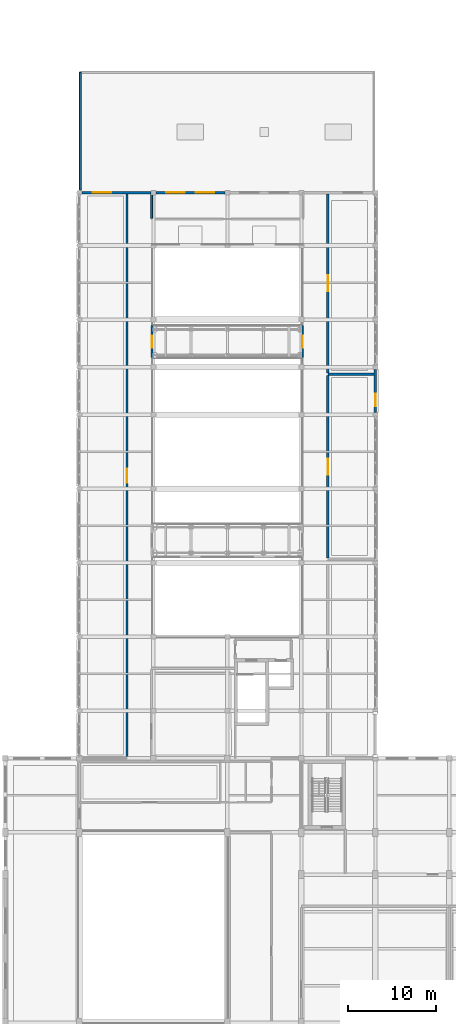
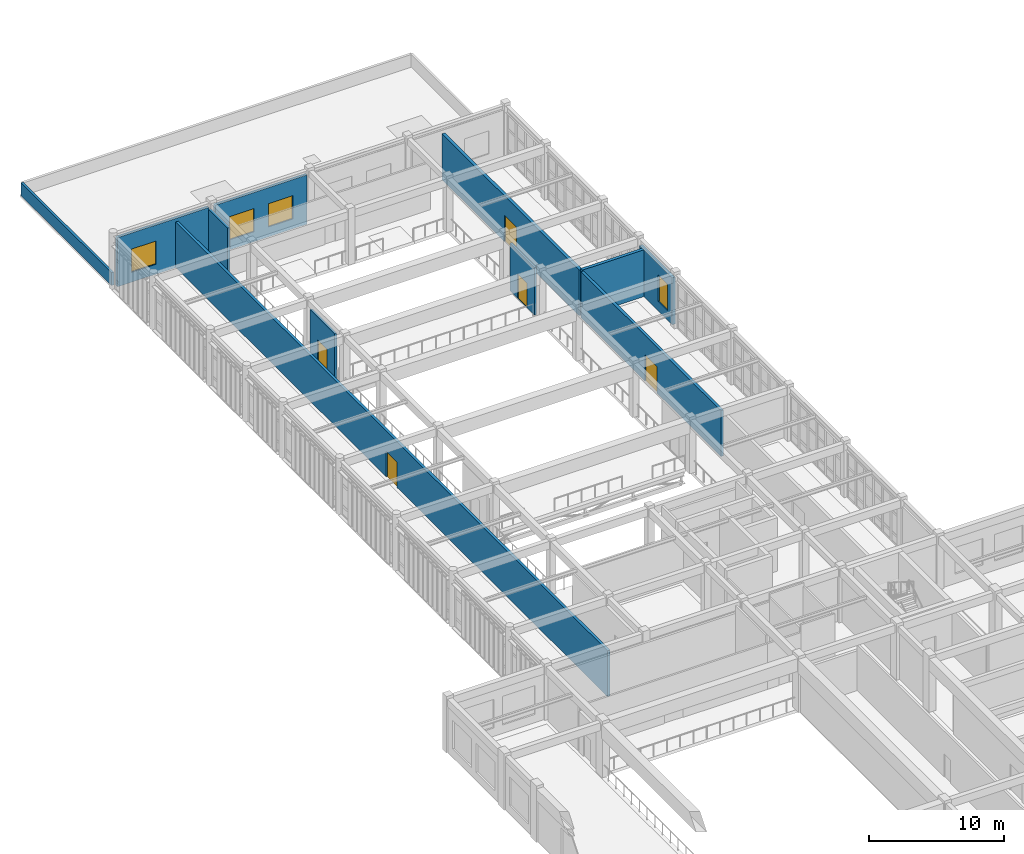
# One storey, part 62 of 77: 11 walls, 5 doors, 4 windows, 9 openings.
"""IFC4 building model written with IfcOpenShell, lengths in metres."""

from ifc_helpers import new_model, si_unit, direction, frame, frame_2d, origin, place, context, subcontext, project, spatial, rectangle, extrude, material, layer, layer_set, type_object, element, fill, save


model = new_model("IFC4")

# Units and contexts
model_context = context("Model", 3, precision=1e-05, world=origin(), true_north=direction((0.0, 1.0)))
body_context = subcontext(model_context, "Body", "Model", "MODEL_VIEW")
ifc_project = project(units=[si_unit("LENGTHUNIT", "METRE"), si_unit("AREAUNIT", "SQUARE_METRE"), si_unit("VOLUMEUNIT", "CUBIC_METRE"), si_unit("PLANEANGLEUNIT", "RADIAN"), si_unit("MASSUNIT", "GRAM", prefix="KILO")], contexts=[model_context])

# Site, building, storey
site_placement = place(None, origin())
site = spatial("IfcSite", under=ifc_project, at=site_placement, CompositionType="ELEMENT")
building_placement = place(site_placement, origin())
building = spatial("IfcBuilding", under=site, at=building_placement, Name="Krzemoval Escarpment Law Courts", CompositionType="ELEMENT")
storey_placement = place(building_placement, frame((0.0, 0.0, 15.300048828125)))
storey = spatial("IfcBuildingStorey", under=building, at=storey_placement, Name="L03", CompositionType="ELEMENT", Elevation=15.300048828125)

# Wall, opening, window
ifc_material_1 = material(Name="Precast concrete C40/50", Category="concrete")
ifc_layer_1 = layer(ifc_material_1, 0.260009765625)
ifc_layer_set_1 = layer_set([ifc_layer_1], Name="Precast concrete C40/50")
wall_type_1 = type_object("IfcWallType", Name="WL-EXT-260", PredefinedType="SOLIDWALL", material=ifc_layer_set_1)
wall_1_placement = place(storey_placement, frame((8.699951171875, 99.60009765625, 0.0), z_axis=(0.0, 0.0, 1.0), x_axis=(1.0, 0.0, 0.0)))
wall_1 = element("IfcWall", 1, at=wall_1_placement, inside=storey, type_object=wall_type_1, Name="Exterior Wall EW-L03-0329", PredefinedType="SOLIDWALL", context=body_context, shape_type="SweptSolid", body=[
    extrude(rectangle(XDim=7.824951171875, YDim=0.260009765625, at=frame_2d((3.91259765625, 0.0))), origin(), (0.0, 0.0, 1.0), 4.449951171875),
])
opening_1_placement = place(wall_1_placement, frame((1.2080078125, 0.0, 0.89990234375)))
opening_1 = element("IfcOpeningElement", 2, at=opening_1_placement, cuts=wall_1, Name="Opening WN-L03-0358", PredefinedType="OPENING", context=body_context, shape_type="SweptSolid", body=[
    extrude(rectangle(XDim=2.10009765625, YDim=2.10009765625, at=frame_2d((1.050048828125, 1.050048828125))), frame((0.0, 0.145, 0.0), z_axis=(0.0, -1.0, 0.0), x_axis=(1.0, 0.0, 0.0)), (0.0, 0.0, 1.0), 0.29001),
])
ifc_material_2 = material(Name="Thermally Broken Aluminium Frame with Triple Low-E Acoustic Glass", Category="aluminium")
window_type_1 = type_object("IfcWindowType", Name="WN-2100x2100", PartitioningType="SINGLE_PANEL", PredefinedType="WINDOW", material=ifc_material_2)
window_1_placement = place(opening_1_placement, origin())
window_1 = element("IfcWindow", 3, at=window_1_placement, inside=storey, type_object=window_type_1, Name="Facade Window WN-L03-0358", OverallHeight=2.10009765625, OverallWidth=2.10009765625, PartitioningType="SINGLE_PANEL", PredefinedType="WINDOW", context=body_context, shape_type="SweptSolid", body=[
    extrude(rectangle(XDim=2.10009765625, YDim=2.10009765625, at=frame_2d((1.050048828125, 1.050048828125))), frame((0.0, 0.030029296875, 0.0), z_axis=(0.0, -1.0, 0.0), x_axis=(1.0, 0.0, 0.0)), (0.0, 0.0, 1.0), 0.06005859375),
])
fill(opening_1, window_1)

# Wall, openings, windows
wall_2_placement = place(storey_placement, frame((17.074951171875, 99.60009765625, 0.0), z_axis=(0.0, 0.0, 1.0), x_axis=(1.0, 0.0, 0.0)))
wall_2 = element("IfcWall", 4, at=wall_2_placement, inside=storey, type_object=wall_type_1, Name="Exterior Wall EW-L03-0330", PredefinedType="SOLIDWALL", context=body_context, shape_type="SweptSolid", body=[
    extrude(rectangle(XDim=7.85009765625, YDim=0.260009765625, at=frame_2d((3.925048828125, 0.0))), origin(), (0.0, 0.0, 1.0), 4.449951171875),
])
opening_2_placement = place(wall_2_placement, frame((1.217041015625, 0.0, 0.89990234375)))
opening_2 = element("IfcOpeningElement", 5, at=opening_2_placement, cuts=wall_2, Name="Opening WN-L03-0359", PredefinedType="OPENING", context=body_context, shape_type="SweptSolid", body=[
    extrude(rectangle(XDim=2.10009765625, YDim=2.10009765625, at=frame_2d((1.050048828125, 1.050048828125))), frame((0.0, 0.145, 0.0), z_axis=(0.0, -1.0, 0.0), x_axis=(1.0, 0.0, 0.0)), (0.0, 0.0, 1.0), 0.29001),
])
opening_3_placement = place(wall_2_placement, frame((4.532958984375, 0.0, 0.89990234375)))
opening_3 = element("IfcOpeningElement", 6, at=opening_3_placement, cuts=wall_2, Name="Opening WN-L03-0360", PredefinedType="OPENING", context=body_context, shape_type="SweptSolid", body=[
    extrude(rectangle(XDim=2.10009765625, YDim=2.10009765625, at=frame_2d((1.050048828125, 1.050048828125))), frame((0.0, 0.145, 0.0), z_axis=(0.0, -1.0, 0.0), x_axis=(1.0, 0.0, 0.0)), (0.0, 0.0, 1.0), 0.29001),
])
window_2_placement = place(opening_2_placement, origin())
window_2 = element("IfcWindow", 7, at=window_2_placement, inside=storey, type_object=window_type_1, Name="Facade Window WN-L03-0359", OverallHeight=2.10009765625, OverallWidth=2.10009765625, PartitioningType="SINGLE_PANEL", PredefinedType="WINDOW", context=body_context, shape_type="SweptSolid", body=[
    extrude(rectangle(XDim=2.10009765625, YDim=2.10009765625, at=frame_2d((1.050048828125, 1.050048828125))), frame((0.0, 0.030029296875, 0.0), z_axis=(0.0, -1.0, 0.0), x_axis=(1.0, 0.0, 0.0)), (0.0, 0.0, 1.0), 0.06005859375),
])
fill(opening_2, window_2)
window_3_placement = place(opening_3_placement, origin())
window_3 = element("IfcWindow", 8, at=window_3_placement, inside=storey, type_object=window_type_1, Name="Facade Window WN-L03-0360", OverallHeight=2.10009765625, OverallWidth=2.10009765625, PartitioningType="SINGLE_PANEL", PredefinedType="WINDOW", context=body_context, shape_type="SweptSolid", body=[
    extrude(rectangle(XDim=2.10009765625, YDim=2.10009765625, at=frame_2d((1.050048828125, 1.050048828125))), frame((0.0, 0.030029296875, 0.0), z_axis=(0.0, -1.0, 0.0), x_axis=(1.0, 0.0, 0.0)), (0.0, 0.0, 1.0), 0.06005859375),
])
fill(opening_3, window_3)

# Wall, opening, window
wall_3_placement = place(storey_placement, frame((42.0, 79.52490234375, 0.0), z_axis=(0.0, 0.0, 1.0), x_axis=(0.0, -1.0, 0.0)))
wall_3 = element("IfcWall", 9, at=wall_3_placement, inside=storey, type_object=wall_type_1, Name="Exterior Wall EW-L03-0333", PredefinedType="SOLIDWALL", context=body_context, shape_type="SweptSolid", body=[
    extrude(rectangle(XDim=4.849853515625, YDim=0.260009765625, at=frame_2d((2.4248046875, 0.0))), origin(), (0.0, 0.0, 1.0), 4.239990234375),
])
opening_4_placement = place(wall_3_placement, frame((2.76708984375, 0.0, 0.85009765625)))
opening_4 = element("IfcOpeningElement", 10, at=opening_4_placement, cuts=wall_3, Name="Opening WN-L03-0364", PredefinedType="OPENING", context=body_context, shape_type="SweptSolid", body=[
    extrude(rectangle(XDim=1.39990234375, YDim=2.39990234375, at=frame_2d((0.699951171875, 1.199951171875))), frame((0.0, 0.145, 0.0), z_axis=(0.0, -1.0, 0.0), x_axis=(1.0, 0.0, 0.0)), (0.0, 0.0, 1.0), 0.29001),
])
ifc_material_3 = material(Name="Thermally Broken Aluminium Frame with Triple Low-E Acoustic Glass", Category="aluminium")
window_type_2 = type_object("IfcWindowType", Name="WN-1400x2400", PartitioningType="SINGLE_PANEL", PredefinedType="WINDOW", material=ifc_material_3)
window_4_placement = place(opening_4_placement, origin())
window_4 = element("IfcWindow", 11, at=window_4_placement, inside=storey, type_object=window_type_2, Name="Facade Window WN-L03-0364", OverallHeight=2.39990234375, OverallWidth=1.39990234375, PartitioningType="SINGLE_PANEL", PredefinedType="WINDOW", context=body_context, shape_type="SweptSolid", body=[
    extrude(rectangle(XDim=1.39990234375, YDim=2.39990234375, at=frame_2d((0.699951171875, 1.199951171875))), frame((0.0, 0.030029296875, 0.0), z_axis=(0.0, -1.0, 0.0), x_axis=(1.0, 0.0, 0.0)), (0.0, 0.0, 1.0), 0.06005859375),
])
fill(opening_4, window_4)

# Wall
ifc_material_4 = material(Name="Precast concrete C40/50", Category="concrete")
ifc_layer_2 = layer(ifc_material_4, 0.199951171875)
ifc_layer_set_2 = layer_set([ifc_layer_2], Name="Precast concrete C40/50")
wall_type_2 = type_object("IfcWallType", Name="WL-PAR-200", PredefinedType="PARAPET", material=ifc_layer_set_2)
wall_4_placement = place(storey_placement, frame((8.510009765625, 113.2900390625, 0.0), z_axis=(0.0, 0.0, 1.0), x_axis=(0.0, -1.0, 0.0)))
element("IfcWall", 12, at=wall_4_placement, inside=storey, type_object=wall_type_2, Name="Roof Parapet PR-L03-016", PredefinedType="PARAPET", context=body_context, shape_type="SweptSolid", body=[
    extrude(rectangle(XDim=13.43994140625, YDim=0.199951171875, at=frame_2d((6.719970703125, 0.0))), origin(), (0.0, 0.0, 1.0), 1.14990234375),
])

# Wall, opening, door
ifc_material_5 = material(Name="Fire-Rated Corridor Partition Wall", Category="gypsum")
ifc_layer_3 = layer(ifc_material_5, 0.199951171875)
ifc_layer_set_3 = layer_set([ifc_layer_3], Name="Fire-Rated Corridor Partition Wall")
wall_type_3 = type_object("IfcWallType", Name="WL-PRT-200", PredefinedType="PARTITIONING", material=ifc_layer_set_3)
wall_5_placement = place(storey_placement, frame((16.64990234375, 80.8701171875, 0.0), z_axis=(0.0, 0.0, 1.0), x_axis=(0.0, 1.0, 0.0)))
wall_5 = element("IfcWall", 13, at=wall_5_placement, inside=storey, type_object=wall_type_3, Name="Atrium Bridge Smoke Portal Wall PW-L03-0011", PredefinedType="PARTITIONING", context=body_context, shape_type="SweptSolid", body=[
    extrude(rectangle(XDim=3.6298828125, YDim=0.199951171875, at=frame_2d((1.81494140625, 0.0))), origin(), (0.0, 0.0, 1.0), 4.2900390625),
])
opening_5_placement = place(wall_5_placement, frame((1.114990234375, 0.0, 0.0)))
opening_5 = element("IfcOpeningElement", 14, at=opening_5_placement, cuts=wall_5, Name="Opening D-L03-0011", PredefinedType="OPENING", context=body_context, shape_type="SweptSolid", body=[
    extrude(rectangle(XDim=1.39990234375, YDim=2.199951171875, at=frame_2d((0.699951171875, 1.10009765625))), frame((0.0, 0.11498, 0.0), z_axis=(0.0, -1.0, 0.0), x_axis=(1.0, 0.0, 0.0)), (0.0, 0.0, 1.0), 0.22995),
])
ifc_material_6 = material(Name="Galvanised Steel S355", Category="steel")
door_type_1 = type_object("IfcDoorType", Name="DR-FFL-1400x2200", OperationType="SINGLE_SWING_LEFT", PredefinedType="DOOR", material=ifc_material_6)
door_1_placement = place(opening_5_placement, origin())
door_1 = element("IfcDoor", 15, at=door_1_placement, inside=storey, type_object=door_type_1, Name="Atrium Bridge Smoke Door D-L03-0011", OperationType="SINGLE_SWING_LEFT", OverallHeight=2.199951171875, OverallWidth=1.39990234375, PredefinedType="DOOR", context=body_context, shape_type="SweptSolid", body=[
    extrude(rectangle(XDim=1.39990234375, YDim=2.199951171875, at=frame_2d((0.699951171875, 1.10009765625))), frame((0.0, 0.02490234375, 0.0), z_axis=(0.0, -1.0, 0.0), x_axis=(1.0, 0.0, 0.0)), (0.0, 0.0, 1.0), 0.050048828125),
])
fill(opening_5, door_1)

wall_6_placement = place(storey_placement, frame((33.75, 80.8701171875, 0.0), z_axis=(0.0, 0.0, 1.0), x_axis=(0.0, 1.0, 0.0)))
wall_6 = element("IfcWall", 16, at=wall_6_placement, inside=storey, type_object=wall_type_3, Name="Atrium Bridge Smoke Portal Wall PW-L03-0012", PredefinedType="PARTITIONING", context=body_context, shape_type="SweptSolid", body=[
    extrude(rectangle(XDim=3.6298828125, YDim=0.199951171875, at=frame_2d((1.81494140625, 0.0))), origin(), (0.0, 0.0, 1.0), 4.2900390625),
])
opening_6_placement = place(wall_6_placement, frame((1.114990234375, 0.0, 0.0)))
opening_6 = element("IfcOpeningElement", 17, at=opening_6_placement, cuts=wall_6, Name="Opening D-L03-0012", PredefinedType="OPENING", context=body_context, shape_type="SweptSolid", body=[
    extrude(rectangle(XDim=1.39990234375, YDim=2.199951171875, at=frame_2d((0.699951171875, 1.10009765625))), frame((0.0, 0.11498, 0.0), z_axis=(0.0, -1.0, 0.0), x_axis=(1.0, 0.0, 0.0)), (0.0, 0.0, 1.0), 0.22995),
])
door_2_placement = place(opening_6_placement, origin())
door_2 = element("IfcDoor", 18, at=door_2_placement, inside=storey, type_object=door_type_1, Name="Atrium Bridge Smoke Door D-L03-0012", OperationType="SINGLE_SWING_LEFT", OverallHeight=2.199951171875, OverallWidth=1.39990234375, PredefinedType="DOOR", context=body_context, shape_type="SweptSolid", body=[
    extrude(rectangle(XDim=1.39990234375, YDim=2.199951171875, at=frame_2d((0.699951171875, 1.10009765625))), frame((0.0, 0.02490234375, 0.0), z_axis=(0.0, -1.0, 0.0), x_axis=(1.0, 0.0, 0.0)), (0.0, 0.0, 1.0), 0.050048828125),
])
fill(opening_6, door_2)

# Wall
ifc_material_7 = material(Name="Solid Calcium-Silicate Custody Blockwork Partition", Category="masonry")
ifc_layer_4 = layer(ifc_material_7, 0.219970703125)
ifc_layer_set_4 = layer_set([ifc_layer_4], Name="Solid Calcium-Silicate Custody Blockwork Partition")
wall_type_4 = type_object("IfcWallType", Name="WL-PRT-220", PredefinedType="PARTITIONING", material=ifc_layer_set_4)
wall_7_placement = place(storey_placement, frame((16.60009765625, 96.677001953125, 0.0), z_axis=(0.0, 0.0, 1.0), x_axis=(0.0, 1.0, 0.0)))
element("IfcWall", 19, at=wall_7_placement, inside=storey, type_object=wall_type_4, Name="Interior Partition PW-L03-0537", PredefinedType="PARTITIONING", context=body_context, shape_type="SweptSolid", body=[
    extrude(rectangle(XDim=2.803955078125, YDim=0.219970703125, at=frame_2d((1.40185546875, 0.0))), origin(), (0.0, 0.0, 1.0), 4.2900390625),
])

# Wall, opening, door
ifc_material_8 = material(Name="Acoustic Calcium-Silicate Block Wall", Category="masonry")
ifc_layer_5 = layer(ifc_material_8, 0.22998046875)
ifc_layer_set_5 = layer_set([ifc_layer_5], Name="Acoustic Calcium-Silicate Block Wall")
wall_type_5 = type_object("IfcWallType", Name="WL-PRT-230", PredefinedType="SOLIDWALL", material=ifc_layer_set_5)
wall_8_placement = place(storey_placement, frame((13.800048828125, 35.458984375, 0.0), z_axis=(0.0, 0.0, 1.0), x_axis=(0.0, 1.0, 0.0)))
wall_8 = element("IfcWall", 20, at=wall_8_placement, inside=storey, type_object=wall_type_5, Name="Interior Partition PW-L03-0535", PredefinedType="SOLIDWALL", context=body_context, shape_type="SweptSolid", body=[
    extrude(rectangle(XDim=64.009033203125, YDim=0.22998046875, at=frame_2d((32.00439453125, 0.0))), origin(), (0.0, 0.0, 1.0), 4.139892578125),
])
opening_7_placement = place(wall_8_placement, frame((31.2041015625, 0.0, 0.0)))
opening_7 = element("IfcOpeningElement", 21, at=opening_7_placement, cuts=wall_8, Name="Opening D-L03-0190", PredefinedType="OPENING", context=body_context, shape_type="SweptSolid", body=[
    extrude(rectangle(XDim=1.60009765625, YDim=2.300048828125, at=frame_2d((0.800048828125, 1.14990234375))), frame((0.0, 0.12999, 0.0), z_axis=(0.0, -1.0, 0.0), x_axis=(1.0, 0.0, 0.0)), (0.0, 0.0, 1.0), 0.25998),
])
ifc_material_9 = material(Name="Engineered Solid-Core Oak Acoustic Timber", Category="wood")
door_type_2 = type_object("IfcDoorType", Name="DR-CRT-1600x2300", OperationType="SINGLE_SWING_LEFT", PredefinedType="DOOR", material=ifc_material_9)
door_3_placement = place(opening_7_placement, origin())
door_3 = element("IfcDoor", 22, at=door_3_placement, inside=storey, type_object=door_type_2, Name="Room Door D-L03-0190", OperationType="SINGLE_SWING_LEFT", OverallHeight=2.300048828125, OverallWidth=1.60009765625, PredefinedType="DOOR", context=body_context, shape_type="SweptSolid", body=[
    extrude(rectangle(XDim=1.60009765625, YDim=2.300048828125, at=frame_2d((0.800048828125, 1.14990234375))), frame((0.0, 0.02490234375, 0.0), z_axis=(0.0, -1.0, 0.0), x_axis=(1.0, 0.0, 0.0)), (0.0, 0.0, 1.0), 0.050048828125),
])
fill(opening_7, door_3)

ifc_material_10 = material(Name="Acoustic Courtroom Partition Assembly", Category="gypsum")
ifc_layer_6 = layer(ifc_material_10, 0.239990234375)
ifc_layer_set_6 = layer_set([ifc_layer_6], Name="Acoustic Courtroom Partition Assembly")
wall_type_6 = type_object("IfcWallType", Name="WL-PRT-240", PredefinedType="PARTITIONING", material=ifc_layer_set_6)
wall_9_placement = place(storey_placement, frame((36.60009765625, 58.1220703125, 0.0), z_axis=(0.0, 0.0, 1.0), x_axis=(0.0, 1.0, 0.0)))
wall_9 = element("IfcWall", 23, at=wall_9_placement, inside=storey, type_object=wall_type_6, Name="Interior Partition PW-L03-0552", PredefinedType="PARTITIONING", context=body_context, shape_type="SweptSolid", body=[
    extrude(rectangle(XDim=20.745849609375, YDim=0.239990234375, at=frame_2d((10.373046875, 0.0))), origin(), (0.0, 0.0, 1.0), 4.139892578125),
])
opening_8_placement = place(wall_9_placement, frame((9.472900390625, 0.0, 0.0)))
opening_8 = element("IfcOpeningElement", 24, at=opening_8_placement, cuts=wall_9, Name="Opening D-L03-0193", PredefinedType="OPENING", context=body_context, shape_type="SweptSolid", body=[
    extrude(rectangle(XDim=1.800048828125, YDim=2.39990234375, at=frame_2d((0.89990234375, 1.199951171875))), frame((0.0, 0.135, 0.0), z_axis=(0.0, -1.0, 0.0), x_axis=(1.0, 0.0, 0.0)), (0.0, 0.0, 1.0), 0.26999),
])
ifc_material_11 = material(Name="Engineered Solid-Core Oak Acoustic Timber", Category="wood")
door_type_3 = type_object("IfcDoorType", Name="DR-CRT-1800x2400", OperationType="SINGLE_SWING_LEFT", PredefinedType="DOOR", material=ifc_material_11)
door_4_placement = place(opening_8_placement, origin())
door_4 = element("IfcDoor", 25, at=door_4_placement, inside=storey, type_object=door_type_3, Name="Room Door D-L03-0193", OperationType="SINGLE_SWING_LEFT", OverallHeight=2.39990234375, OverallWidth=1.800048828125, PredefinedType="DOOR", context=body_context, shape_type="SweptSolid", body=[
    extrude(rectangle(XDim=1.800048828125, YDim=2.39990234375, at=frame_2d((0.89990234375, 1.199951171875))), frame((0.0, 0.02490234375, 0.0), z_axis=(0.0, -1.0, 0.0), x_axis=(1.0, 0.0, 0.0)), (0.0, 0.0, 1.0), 0.050048828125),
])
fill(opening_8, door_4)

# Wall
ifc_material_12 = material(Name="Acoustic Double-Stud Gypsum and Mineral Wool Wall", Category="gypsum")
ifc_layer_7 = layer(ifc_material_12, 0.260009765625)
ifc_layer_set_7 = layer_set([ifc_layer_7], Name="Acoustic Double-Stud Gypsum and Mineral Wool Wall")
wall_type_7 = type_object("IfcWallType", Name="WL-PRT-260", PredefinedType="PARTITIONING", material=ifc_layer_set_7)
wall_10_placement = place(storey_placement, frame((36.60009765625, 79.0, 0.0), z_axis=(0.0, 0.0, 1.0), x_axis=(1.0, 0.0, 0.0)))
element("IfcWall", 26, at=wall_10_placement, inside=storey, type_object=wall_type_7, Name="Interior Partition PW-L03-0517", PredefinedType="PARTITIONING", context=body_context, shape_type="SweptSolid", body=[
    extrude(rectangle(XDim=5.267822265625, YDim=0.260009765625, at=frame_2d((2.6337890625, 0.0))), origin(), (0.0, 0.0, 1.0), 4.239990234375),
])

# Wall, opening, door
wall_11_placement = place(storey_placement, frame((36.60009765625, 79.132080078125, 0.0), z_axis=(0.0, 0.0, 1.0), x_axis=(0.0, 1.0, 0.0)))
wall_11 = element("IfcWall", 27, at=wall_11_placement, inside=storey, type_object=wall_type_7, Name="Interior Partition PW-L03-0553", PredefinedType="PARTITIONING", context=body_context, shape_type="SweptSolid", body=[
    extrude(rectangle(XDim=20.3359375, YDim=0.260009765625, at=frame_2d((10.16796875, 0.0))), origin(), (0.0, 0.0, 1.0), 4.139892578125),
])
opening_9_placement = place(wall_11_placement, frame((9.26806640625, 0.0, 0.0)))
opening_9 = element("IfcOpeningElement", 28, at=opening_9_placement, cuts=wall_11, Name="Opening D-L03-0194", PredefinedType="OPENING", context=body_context, shape_type="SweptSolid", body=[
    extrude(rectangle(XDim=1.800048828125, YDim=2.39990234375, at=frame_2d((0.89990234375, 1.199951171875))), frame((0.0, 0.145, 0.0), z_axis=(0.0, -1.0, 0.0), x_axis=(1.0, 0.0, 0.0)), (0.0, 0.0, 1.0), 0.29001),
])
door_5_placement = place(opening_9_placement, origin())
door_5 = element("IfcDoor", 29, at=door_5_placement, inside=storey, type_object=door_type_3, Name="Room Door D-L03-0194", OperationType="SINGLE_SWING_LEFT", OverallHeight=2.39990234375, OverallWidth=1.800048828125, PredefinedType="DOOR", context=body_context, shape_type="SweptSolid", body=[
    extrude(rectangle(XDim=1.800048828125, YDim=2.39990234375, at=frame_2d((0.89990234375, 1.199951171875))), frame((0.0, 0.02490234375, 0.0), z_axis=(0.0, -1.0, 0.0), x_axis=(1.0, 0.0, 0.0)), (0.0, 0.0, 1.0), 0.050048828125),
])
fill(opening_9, door_5)

save(model, "model.ifc")
